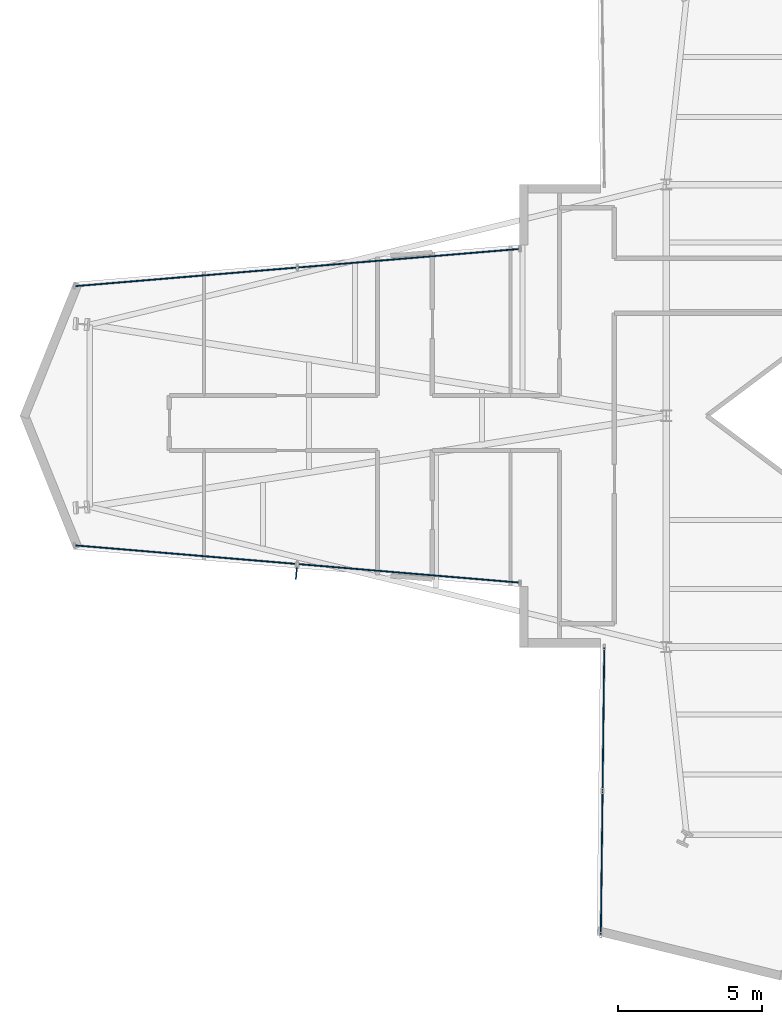
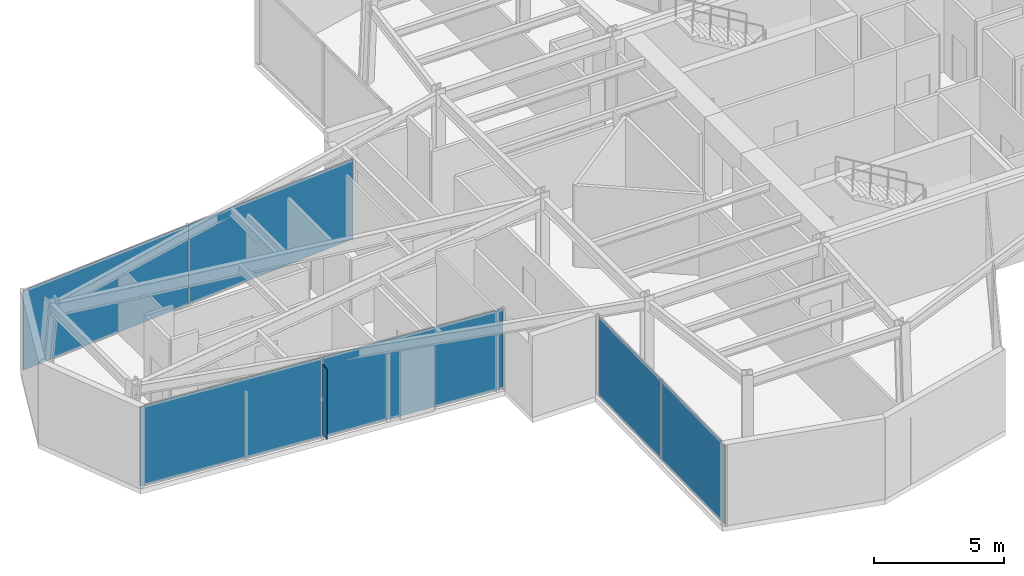
# One storey, part 19 of 25: 7 plates, 3 elements without a shape of their own.
"""IFC4 building model written with IfcOpenShell, lengths in metres."""

from ifc_helpers import new_model, si_unit, direction, frame, origin, origin_2d, place, context, subcontext, project, spatial, rectangle, extrude, material, layer, layer_set, type_object, element, aggregate, save


model = new_model("IFC4")

# Units and contexts
model_context = context("Model", 3, precision=1e-05, world=origin(), true_north=direction((0.0, 1.0)))
body_context = subcontext(model_context, "Body", "Model", "MODEL_VIEW")
ifc_project = project(units=[si_unit("LENGTHUNIT", "METRE"), si_unit("AREAUNIT", "SQUARE_METRE"), si_unit("VOLUMEUNIT", "CUBIC_METRE"), si_unit("PLANEANGLEUNIT", "RADIAN"), si_unit("MASSUNIT", "GRAM", prefix="KILO")], contexts=[model_context])

# Site, building, storey
site_placement = place(None, origin())
site = spatial("IfcSite", under=ifc_project, at=site_placement, CompositionType="ELEMENT")
building_placement = place(site_placement, origin())
building = spatial("IfcBuilding", under=site, at=building_placement, Name="Veymaron Broadcast Tower", CompositionType="ELEMENT")
storey_placement = place(building_placement, frame((0.0, 0.0, 137.10009765625)))
storey = spatial("IfcBuildingStorey", under=building, at=storey_placement, Name="L31", CompositionType="ELEMENT", Elevation=137.10009765625)

# Curtain wall, plates
ifc_material_1 = material(Name="Anodised aluminium AA 6063-T6 and laminated low-E dark glass", Category="aluminium")
ifc_layer_1 = layer(ifc_material_1, 0.179931640625)
ifc_layer_set_1 = layer_set([ifc_layer_1], Name="Anodised aluminium AA 6063-T6 and laminated low-E dark glass")
curtain_wall_type = type_object("IfcCurtainWallType", Name="CW-SYS-03", PredefinedType="NOTDEFINED", material=ifc_layer_set_1)
curtain_wall_1_placement = place(storey_placement, origin())
curtain_wall_1 = element("IfcCurtainWall", 1, at=curtain_wall_1_placement, inside=storey, type_object=curtain_wall_type, Name="L31 dark-glass curtain wall CW-L31-E11-1", PredefinedType="NOTDEFINED")
ifc_material_2 = material(Name="Insulated dark-anodised aluminium spandrel panel 40 mm", Category="aluminium")
ifc_layer_2 = layer(ifc_material_2, 0.0400390625)
ifc_layer_set_2 = layer_set([ifc_layer_2], Name="Insulated dark-anodised aluminium spandrel panel 40 mm")
plate_type_1 = type_object("IfcPlateType", Name="CW-PNL-03", PredefinedType="CURTAIN_PANEL", material=ifc_layer_set_2)
plate_1_placement = place(storey_placement, frame((22.276611328125, 29.45166015625, 0.039794921875), z_axis=(0.0, 0.0, 1.0), x_axis=(-0.996507448611, -0.083503921245, 0.0)))
plate_1 = element("IfcPlate", 2, at=plate_1_placement, type_object=plate_type_1, Name="CW-L31-E11-1 unitised curtain panel 0", PredefinedType="CURTAIN_PANEL", context=body_context, shape_type="SweptSolid", body=[
    extrude(rectangle(XDim=7.677001953125, YDim=0.0400390625, at=origin_2d()), origin(), (0.0, 0.0, 1.0), 3.72998046875),
])
plate_2_placement = place(storey_placement, frame((14.566650390625, 28.8056640625, 0.039794921875), z_axis=(0.0, 0.0, 1.0), x_axis=(-0.996507448611, -0.083503921245, 0.0)))
plate_2 = element("IfcPlate", 3, at=plate_2_placement, type_object=plate_type_1, Name="CW-L31-E11-1 unitised curtain panel 1", PredefinedType="CURTAIN_PANEL", context=body_context, shape_type="SweptSolid", body=[
    extrude(rectangle(XDim=7.677001953125, YDim=0.0400390625, at=origin_2d()), origin(), (0.0, 0.0, 1.0), 3.72998046875),
])
aggregate(curtain_wall_1, [plate_1, plate_2])

curtain_wall_2_placement = place(storey_placement, origin())
curtain_wall_2 = element("IfcCurtainWall", 4, at=curtain_wall_2_placement, inside=storey, type_object=curtain_wall_type, Name="L31 dark-glass curtain wall CW-L31-E14-1", PredefinedType="NOTDEFINED")
plate_3_placement = place(storey_placement, frame((14.566650390625, 19.1943359375, 0.039794921875), z_axis=(0.0, 0.0, 1.0), x_axis=(0.996507448611, -0.083503921245, 0.0)))
plate_3 = element("IfcPlate", 5, at=plate_3_placement, type_object=plate_type_1, Name="CW-L31-E14-1 unitised curtain panel 0", PredefinedType="CURTAIN_PANEL", context=body_context, shape_type="SweptSolid", body=[
    extrude(rectangle(XDim=7.677001953125, YDim=0.0400390625, at=origin_2d()), origin(), (0.0, 0.0, 1.0), 3.72998046875),
])
plate_4_placement = place(storey_placement, frame((22.276611328125, 18.54833984375, 0.039794921875), z_axis=(0.0, 0.0, 1.0), x_axis=(0.996507448611, -0.083503921245, 0.0)))
plate_4 = element("IfcPlate", 6, at=plate_4_placement, type_object=plate_type_1, Name="CW-L31-E14-1 unitised curtain panel 1", PredefinedType="CURTAIN_PANEL", context=body_context, shape_type="SweptSolid", body=[
    extrude(rectangle(XDim=7.677001953125, YDim=0.0400390625, at=origin_2d()), origin(), (0.0, 0.0, 1.0), 3.72998046875),
])
aggregate(curtain_wall_2, [plate_3, plate_4])

curtain_wall_3_placement = place(storey_placement, origin())
curtain_wall_3 = element("IfcCurtainWall", 7, at=curtain_wall_3_placement, inside=storey, type_object=curtain_wall_type, Name="L31 dark-glass curtain wall CW-L31-E17-1", PredefinedType="NOTDEFINED")
plate_5_placement = place(storey_placement, frame((29.020263671875, 13.507080078125, 0.039794921875), z_axis=(0.0, 0.0, 1.0), x_axis=(-0.012077384797, -0.999927065729, 0.0)))
plate_5 = element("IfcPlate", 8, at=plate_5_placement, type_object=plate_type_1, Name="CW-L31-E17-1 unitised curtain panel 0", PredefinedType="CURTAIN_PANEL", context=body_context, shape_type="SweptSolid", body=[
    extrude(rectangle(XDim=4.9228515625, YDim=0.0400390625, at=origin_2d()), origin(), (0.0, 0.0, 1.0), 3.72998046875),
])
plate_6_placement = place(storey_placement, frame((28.960205078125, 8.524658203125, 0.039794921875), z_axis=(0.0, 0.0, 1.0), x_axis=(-0.012077384797, -0.999927065729, 0.0)))
plate_6 = element("IfcPlate", 9, at=plate_6_placement, type_object=plate_type_1, Name="CW-L31-E17-1 unitised curtain panel 1", PredefinedType="CURTAIN_PANEL", context=body_context, shape_type="SweptSolid", body=[
    extrude(rectangle(XDim=4.9228515625, YDim=0.0400390625, at=origin_2d()), origin(), (0.0, 0.0, 1.0), 3.72998046875),
])
aggregate(curtain_wall_3, [plate_5, plate_6])

# Plate
ifc_material_3 = material(Name="Dark-anodised aluminium AA 6061-T6", Category="aluminium")
ifc_layer_3 = layer(ifc_material_3, 0.031982421875)
ifc_layer_set_3 = layer_set([ifc_layer_3], Name="Dark-anodised aluminium AA 6061-T6")
plate_type_2 = type_object("IfcPlateType", Name="FIN-CHEV-03", PredefinedType="USERDEFINED", material=ifc_layer_set_3)
plate_7_placement = place(storey_placement, frame((18.39404296875, 18.54248046875, 0.2666015625), z_axis=(0.0, 0.0, 1.0), x_axis=(-0.083503921245, -0.996507448611, 0.0)))
element("IfcPlate", 10, at=plate_7_placement, inside=storey, type_object=plate_type_2, Name="CW-L31-E14-1 chevron fin 1", ObjectType="FIN", PredefinedType="USERDEFINED", context=body_context, shape_type="SweptSolid", body=[
    extrude(rectangle(XDim=0.39990234375, YDim=0.034912109375, at=origin_2d()), origin(), (0.0, 0.0, 1.0), 3.276611328125),
])

save(model, "model.ifc")
